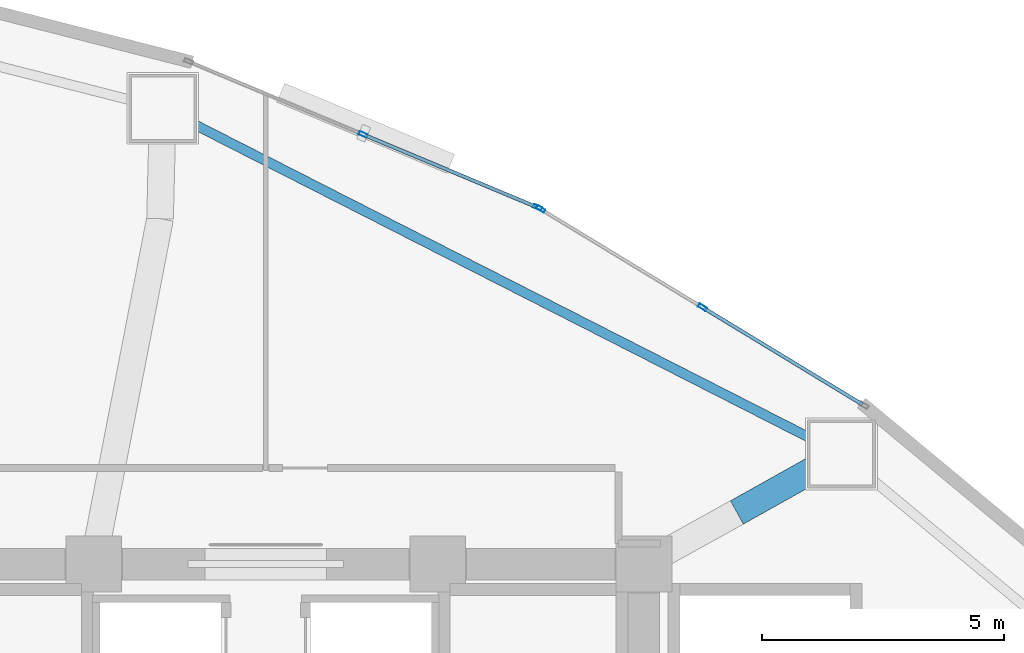
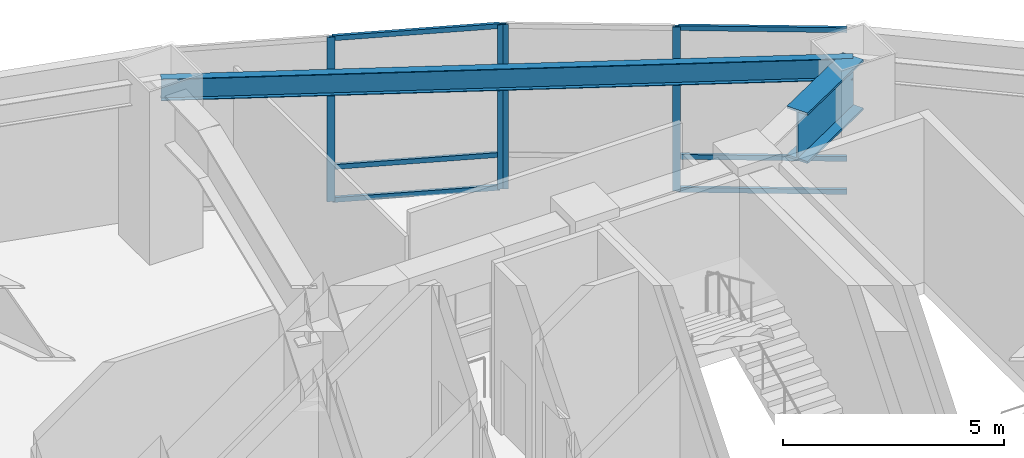
# One storey, part 11 of 19: 10 members, 2 beams, 2 elements without a shape of their own.
"""IFC4 building model written with IfcOpenShell, lengths in metres."""

import ifcopenshell
import ifcopenshell.guid

model = None  # the IFC model being written
_history = None  # IfcOwnerHistory: only IFC2X3 demands one
_inside = {}  # id of a spatial element -> (the spatial element, [elements in it])
_under = {}  # id of a project, library or spatial element -> (it, [spatial elements below it])
_declared = {}  # id of a project -> (the project, [libraries it declares])
_typed = {}  # id of a type object -> (the type object, [elements of that type])
_made_of = {}  # id of a material, layer set ... -> (it, [elements and type objects made of it])


def new_model(schema):
    """Start an empty IFC model of exactly this schema.

    Asked for "IFC4X3", IfcOpenShell would pick the latest addendum, in which some entities
    have other attributes; the version numbers below select the first issue.
    IFC2X3 requires an IfcOwnerHistory on every rooted entity: one is made here for all.
    """
    global model, _history
    if schema == "IFC4X3":
        model = ifcopenshell.file(schema_version=(4, 3, 0, 0))
    else:
        model = ifcopenshell.file(schema=schema)
    _inside.clear()
    _under.clear()
    _declared.clear()
    _typed.clear()
    _made_of.clear()
    _history = None
    if model.schema == "IFC2X3":
        org = make("IfcOrganization", Name="unknown")
        user = make(
            "IfcPersonAndOrganization",
            ThePerson=make("IfcPerson", FamilyName="unknown"),
            TheOrganization=org,
        )
        app = make(
            "IfcApplication",
            ApplicationDeveloper=org,
            Version="unknown",
            ApplicationFullName="unknown",
            ApplicationIdentifier="unknown",
        )
        _history = make(
            "IfcOwnerHistory",
            OwningUser=user,
            OwningApplication=app,
            ChangeAction="ADDED",
            CreationDate=0,
        )
    return model


def make(cls, **values):
    """One entity of the class cls with the attributes given. An attribute that is None is left unset."""
    return model.create_entity(
        cls, **{name: value for name, value in values.items() if value is not None}
    )


def rooted(cls, **values):
    """An entity with a GlobalId (a new one), such as an element, a storey or a relation."""
    return make(cls, GlobalId=ifcopenshell.guid.new(), OwnerHistory=_history, **values)


def si_unit(unit_type, name, prefix=None):
    """IfcSIUnit, for example si_unit("LENGTHUNIT", "METRE", prefix="MILLI")."""
    return make("IfcSIUnit", UnitType=unit_type, Prefix=prefix, Name=name)


def assignment(units):
    """IfcUnitAssignment: the units of a project."""
    return None if units is None else make("IfcUnitAssignment", Units=units)


def point(xyz):
    """IfcCartesianPoint."""
    return None if xyz is None else make("IfcCartesianPoint", Coordinates=xyz)


def direction(xyz):
    """IfcDirection."""
    return None if xyz is None else make("IfcDirection", DirectionRatios=xyz)


def frame(location, z_axis=None, x_axis=None):
    """IfcAxis2Placement3D, a coordinate frame: its origin and axes. An axis left out is left unset."""
    return make(
        "IfcAxis2Placement3D",
        Location=point(location),
        Axis=direction(z_axis),
        RefDirection=direction(x_axis),
    )


def frame_2d(location, x_axis=None):
    """IfcAxis2Placement2D, a coordinate frame in the plane: its origin and x axis."""
    return make(
        "IfcAxis2Placement2D", Location=point(location), RefDirection=direction(x_axis)
    )


def origin():
    """The frame at (0, 0, 0) with its axes left unset."""
    return frame((0.0, 0.0, 0.0))


def origin_2d():
    """The frame at (0, 0) in the plane with its x axis left unset."""
    return frame_2d((0.0, 0.0))


def place(relative_to, where):
    """IfcLocalPlacement: puts the frame where relative to a parent placement (None: the world)."""
    return make(
        "IfcLocalPlacement", PlacementRelTo=relative_to, RelativePlacement=where
    )


def context(
    kind, dimensions, precision=None, world=None, true_north=None, identifier=None
):
    """IfcGeometricRepresentationContext, for example the 3D "Model" context."""
    return make(
        "IfcGeometricRepresentationContext",
        ContextIdentifier=identifier,
        ContextType=kind,
        CoordinateSpaceDimension=dimensions,
        Precision=precision,
        WorldCoordinateSystem=world,
        TrueNorth=true_north,
    )


def subcontext(parent, identifier, kind, view, scale=None):
    """IfcGeometricRepresentationSubContext, for example "Body" below "Model"."""
    return make(
        "IfcGeometricRepresentationSubContext",
        ContextIdentifier=identifier,
        ContextType=kind,
        ParentContext=parent,
        TargetScale=scale,
        TargetView=view,
    )


def project(units=None, contexts=None):
    """IfcProject with its units and contexts."""
    return rooted(
        "IfcProject",
        Name="project",
        RepresentationContexts=contexts,
        UnitsInContext=assignment(units),
    )


def spatial(cls, under=None, at=None, **own):
    """A site, building, storey or space (cls), placed at a placement, below another one or the project."""
    s = rooted(cls, ObjectPlacement=at, **own)
    if under is not None:
        _under.setdefault(under.id(), (under, []))[1].append(s)
    return s


def profile(cls, at=None, kind="AREA", **sizes):
    """A parametric profile (cls). Its sizes go by their IFC names, for example OverallWidth=200.0."""
    return make(cls, ProfileType=kind, Position=at, **sizes)


def hollow_rectangle(**sizes):
    """IfcRectangleHollowProfileDef."""
    return profile("IfcRectangleHollowProfileDef", **sizes)


def i_section(**sizes):
    """IfcIShapeProfileDef."""
    return profile("IfcIShapeProfileDef", **sizes)


def extrude(swept, where, along, depth):
    """IfcExtrudedAreaSolid: the profile swept, set in the frame where, extruded along a direction by depth."""
    return make(
        "IfcExtrudedAreaSolid",
        SweptArea=swept,
        Position=where,
        ExtrudedDirection=direction(along),
        Depth=depth,
    )


def shape(context_of_items, identifier, shape_type, items):
    """IfcShapeRepresentation: the items that make up one representation, for example the "Body"."""
    return make(
        "IfcShapeRepresentation",
        ContextOfItems=context_of_items,
        RepresentationIdentifier=identifier,
        RepresentationType=shape_type,
        Items=items,
    )


def material(Name=None, Category=None):
    """IfcMaterial."""
    return make("IfcMaterial", Name=Name, Category=Category)


def layer(
    of_material, thickness, ventilated=None, Name=None, Category=None, Priority=None
):
    """IfcMaterialLayer: one layer of a wall or slab, of a material (None: an air gap)."""
    return make(
        "IfcMaterialLayer",
        Material=of_material,
        LayerThickness=thickness,
        IsVentilated=ventilated,
        Name=Name,
        Category=Category,
        Priority=Priority,
    )


def layer_set(layers, Name=None):
    """IfcMaterialLayerSet."""
    return make("IfcMaterialLayerSet", MaterialLayers=layers, LayerSetName=Name)


def material_profile(
    of_material, cross_section, Name=None, Category=None, Priority=None
):
    """IfcMaterialProfile: a cross section and its material."""
    return make(
        "IfcMaterialProfile",
        Name=Name,
        Material=of_material,
        Profile=cross_section,
        Priority=Priority,
        Category=Category,
    )


def profile_set(profiles, Name=None, composite=None):
    """IfcMaterialProfileSet."""
    return make(
        "IfcMaterialProfileSet",
        Name=Name,
        MaterialProfiles=profiles,
        CompositeProfile=composite,
    )


def made_of(thing, what):
    """Note that an element or type object is made of a material, layer set ...; save() writes the relation."""
    if what is not None:
        _made_of.setdefault(what.id(), (what, []))[1].append(thing)
    return thing


def type_object(cls, material=None, **own):
    """A type object (cls), such as IfcWallType, which elements share."""
    return made_of(rooted(cls, **own), material)


def element(
    cls,
    number,
    at=None,
    inside=None,
    cuts=None,
    type_object=None,
    material=None,
    context=None,
    identifier="Body",
    shape_type=None,
    held_by="IfcProductDefinitionShape",
    body=None,
    shapes=None,
    **own,
):
    """One element of the class cls, such as IfcWall. Its Tag is "e" and its number.

    at: its placement. inside: the storey or other place that contains it. cuts: it is an
    opening in that element (IfcRelVoidsElement). A single representation is given by context,
    identifier, shape_type and body (its items); several are given by shapes. held_by: the class
    of the entity that holds the representations. save() writes the other relations.
    """
    e = rooted(cls, Tag="e%d" % number, ObjectPlacement=at, **own)
    if body is not None:
        shapes = [shape(context, identifier, shape_type, body)]
    if shapes is not None:
        e.Representation = make(held_by, Representations=shapes)
    if inside is not None:
        _inside.setdefault(inside.id(), (inside, []))[1].append(e)
    if cuts is not None:
        rooted(
            "IfcRelVoidsElement", RelatingBuildingElement=cuts, RelatedOpeningElement=e
        )
    if type_object is not None:
        _typed.setdefault(type_object.id(), (type_object, []))[1].append(e)
    return made_of(e, material)


def aggregate(whole, parts):
    """IfcRelAggregates: a whole, such as a stair, and the parts it consists of."""
    return rooted("IfcRelAggregates", RelatingObject=whole, RelatedObjects=parts)


def save(model, path):
    """Write the relations noted so far, then the file.

    IfcRelAggregates (storeys below a building ...), IfcRelContainedInSpatialStructure (elements
    in a storey), IfcRelDefinesByType, IfcRelAssociatesMaterial and IfcRelDeclares: one each for
    every whole, place, type object, material and project.
    """
    for whole, parts in _under.values():
        aggregate(whole, parts)
    for where, things in _inside.values():
        rooted(
            "IfcRelContainedInSpatialStructure",
            RelatedElements=things,
            RelatingStructure=where,
        )
    for kind, things in _typed.values():
        rooted("IfcRelDefinesByType", RelatedObjects=things, RelatingType=kind)
    for what, things in _made_of.values():
        rooted("IfcRelAssociatesMaterial", RelatedObjects=things, RelatingMaterial=what)
    for by, libraries in _declared.values():
        rooted("IfcRelDeclares", RelatingContext=by, RelatedDefinitions=libraries)
    model.write(path)


model = new_model("IFC4")

# Units and contexts
model_context = context("Model", 3, precision=1e-05, world=origin(), true_north=direction((0.0, 1.0)))
body_context = subcontext(model_context, "Body", "Model", "MODEL_VIEW")
ifc_project = project(units=[si_unit("LENGTHUNIT", "METRE"), si_unit("AREAUNIT", "SQUARE_METRE"), si_unit("VOLUMEUNIT", "CUBIC_METRE"), si_unit("PLANEANGLEUNIT", "RADIAN"), si_unit("MASSUNIT", "GRAM", prefix="KILO")], contexts=[model_context])

# Site, building, storey
site_placement = place(None, origin())
site = spatial("IfcSite", under=ifc_project, at=site_placement, CompositionType="ELEMENT")
building_placement = place(site_placement, origin())
building = spatial("IfcBuilding", under=site, at=building_placement, Name="Menara Vayukalpa", CompositionType="ELEMENT")
storey_placement = place(building_placement, frame((0.0, 0.0, 22.800048828125)))
storey = spatial("IfcBuildingStorey", under=building, at=storey_placement, Name="L04", CompositionType="ELEMENT", Elevation=22.800048828125)

# Beams
ifc_material_1 = material(Name="Steel S355", Category="steel")
ifc_material_profile_1 = material_profile(ifc_material_1, i_section(OverallWidth=0.199951171875, OverallDepth=0.60009765625, WebThickness=0.010986328125, FlangeThickness=0.01708984375, at=origin_2d()), Name="WF 600x200x11x17")
ifc_profile_set_1 = profile_set([ifc_material_profile_1], Name="Steel S355")
beam_type_1 = type_object("IfcBeamType", Name="BM-SP1", PredefinedType="SPANDREL", material=ifc_profile_set_1)
beam_1_placement = place(storey_placement, frame((37.47412109375, 29.07080078125, 4.25), z_axis=(-0.891101872915, 0.453803318726, 0.0), x_axis=(-0.453803318726, -0.891101872915, 0.0)))
element("IfcBeam", 1, at=beam_1_placement, inside=storey, type_object=beam_type_1, Name="L04 Perimeter Spandrel Beam SP02", PredefinedType="SPANDREL", context=body_context, shape_type="SweptSolid", body=[
    extrude(i_section(OverallWidth=0.199951171875, OverallDepth=0.60009765625, WebThickness=0.010986328125, FlangeThickness=0.01708984375, at=origin_2d()), origin(), (0.0, 0.0, 1.0), 15.709228515625),
])
ifc_material_2 = material(Name="Steel S460", Category="steel")
ifc_material_profile_2 = material_profile(ifc_material_2, i_section(OverallWidth=0.550048828125, OverallDepth=1.39990234375, WebThickness=0.031982421875, FlangeThickness=0.06005859375, at=origin_2d()), Name="WG 1400x550x32x60")
ifc_profile_set_2 = profile_set([ifc_material_profile_2], Name="Steel S460")
beam_type_2 = type_object("IfcBeamType", Name="BM-TG1", PredefinedType="BEAM", material=ifc_profile_set_2)
beam_2_placement = place(storey_placement, frame((35.318115234375, 27.86328125, 3.849853515625), z_axis=(0.872479058961, 0.488651503297, 0.0), x_axis=(-0.488651503297, 0.872479058961, 0.0)))
element("IfcBeam", 2, at=beam_2_placement, inside=storey, type_object=beam_type_2, Name="L04 Radial Transfer Girder Outer 02", PredefinedType="BEAM", context=body_context, shape_type="SweptSolid", body=[
    extrude(i_section(OverallWidth=0.550048828125, OverallDepth=1.39990234375, WebThickness=0.031982421875, FlangeThickness=0.06005859375, at=origin_2d()), origin(), (0.0, 0.0, 1.0), 2.47119140625),
])

# Curtain wall, members
ifc_material_3 = material(Name="Anodised Terracotta Aluminium Alloy 6063-T6", Category="masonry")
ifc_layer = layer(ifc_material_3, 0.179931640625)
ifc_layer_set = layer_set([ifc_layer], Name="Anodised Terracotta Aluminium Alloy 6063-T6")
curtain_wall_type = type_object("IfcCurtainWallType", Name="CW-CW1", PredefinedType="USERDEFINED", material=ifc_layer_set)
curtain_wall_1_placement = place(storey_placement, origin())
curtain_wall_1 = element("IfcCurtainWall", 3, at=curtain_wall_1_placement, inside=storey, type_object=curtain_wall_type, Name="L04 Podium Unitised Ribbon Curtain Wall CW1 04", ObjectType="UNITISED", PredefinedType="USERDEFINED")
ifc_material_4 = material(Name="Anodised Terracotta Aluminium Alloy 6063-T6", Category="masonry")
ifc_material_profile_3 = material_profile(ifc_material_4, hollow_rectangle(XDim=0.074951171875, YDim=0.179931640625, WallThickness=0.00390625, at=origin_2d()), Name="ALU 75x180x4")
ifc_profile_set_3 = profile_set([ifc_material_profile_3], Name="Anodised Terracotta Aluminium Alloy 6063-T6")
member_type_1 = type_object("IfcMemberType", Name="CWM-CW1", PredefinedType="MULLION", material=ifc_profile_set_3)
member_1_placement = place(storey_placement, frame((34.607177734375, 32.095703125, 0.0), z_axis=(0.0, 0.0, 1.0), x_axis=(-0.519179879231, -0.854664994604, 0.0)))
member_1 = element("IfcMember", 4, at=member_1_placement, type_object=member_type_1, Name="CW1 mullion 2", PredefinedType="MULLION", context=body_context, shape_type="SweptSolid", body=[
    extrude(hollow_rectangle(XDim=0.074951171875, YDim=0.179931640625, WallThickness=0.00390625, at=origin_2d()), origin(), (0.0, 0.0, 1.0), 4.550048828125),
])
member_2_placement = place(storey_placement, frame((31.2734375, 34.12109375, 0.0), z_axis=(0.0, 0.0, 1.0), x_axis=(-0.519179879231, -0.854664994604, 0.0)))
member_2 = element("IfcMember", 5, at=member_2_placement, type_object=member_type_1, Name="CW1 mullion 3", PredefinedType="MULLION", context=body_context, shape_type="SweptSolid", body=[
    extrude(hollow_rectangle(XDim=0.074951171875, YDim=0.179931640625, WallThickness=0.00390625, at=origin_2d()), origin(), (0.0, 0.0, 1.0), 4.550048828125),
])

curtain_wall_2_placement = place(storey_placement, origin())
curtain_wall_2 = element("IfcCurtainWall", 6, at=curtain_wall_2_placement, inside=storey, type_object=curtain_wall_type, Name="L04 Podium Unitised Ribbon Curtain Wall CW1 05", ObjectType="UNITISED", PredefinedType="USERDEFINED")
member_3_placement = place(storey_placement, frame((31.206787109375, 34.155029296875, 0.0), z_axis=(0.0, 0.0, 1.0), x_axis=(-0.385890613077, -0.922544543499, 0.0)))
member_3 = element("IfcMember", 7, at=member_3_placement, type_object=member_type_1, Name="CW1 mullion 1", PredefinedType="MULLION", context=body_context, shape_type="SweptSolid", body=[
    extrude(hollow_rectangle(XDim=0.074951171875, YDim=0.179931640625, WallThickness=0.00390625, at=origin_2d()), origin(), (0.0, 0.0, 1.0), 4.550048828125),
])
member_4_placement = place(storey_placement, frame((27.608154296875, 35.66015625, 0.0), z_axis=(0.0, 0.0, 1.0), x_axis=(-0.385890613077, -0.922544543499, 0.0)))
member_4 = element("IfcMember", 8, at=member_4_placement, type_object=member_type_1, Name="CW1 mullion 2", PredefinedType="MULLION", context=body_context, shape_type="SweptSolid", body=[
    extrude(hollow_rectangle(XDim=0.074951171875, YDim=0.179931640625, WallThickness=0.00390625, at=origin_2d()), origin(), (0.0, 0.0, 1.0), 4.550048828125),
])

# Member
ifc_material_5 = material(Name="Anodised Terracotta Aluminium Alloy 6063-T6", Category="masonry")
ifc_material_profile_4 = material_profile(ifc_material_5, hollow_rectangle(XDim=0.074951171875, YDim=0.135009765625, WallThickness=0.00390625, at=origin_2d()), Name="ALU 75x135x4")
ifc_profile_set_4 = profile_set([ifc_material_profile_4], Name="Anodised Terracotta Aluminium Alloy 6063-T6")
member_type_2 = type_object("IfcMemberType", Name="CWT-CW1", PredefinedType="USERDEFINED", material=ifc_profile_set_4)
member_5_placement = place(storey_placement, frame((37.9091796875, 30.090087890625, 0.037353515625), z_axis=(-0.85465908819, 0.519189602144, 0.0), x_axis=(-0.519189602144, -0.85465908819, 0.0)))
member_5 = element("IfcMember", 9, at=member_5_placement, type_object=member_type_2, Name="CW1 transom 1.1", ObjectType="TRANSOM", PredefinedType="USERDEFINED", context=body_context, shape_type="SweptSolid", body=[
    extrude(hollow_rectangle(XDim=0.074951171875, YDim=0.135009765625, WallThickness=0.00390625, at=origin_2d()), origin(), (0.0, 0.0, 1.0), 3.825927734375),
])

member_6_placement = place(storey_placement, frame((37.9091796875, 30.090087890625, 0.949951171875), z_axis=(-0.85465908819, 0.519189602144, 0.0), x_axis=(-0.519189602144, -0.85465908819, 0.0)))
member_6 = element("IfcMember", 10, at=member_6_placement, type_object=member_type_2, Name="CW1 transom 1.2", ObjectType="TRANSOM", PredefinedType="USERDEFINED", context=body_context, shape_type="SweptSolid", body=[
    extrude(hollow_rectangle(XDim=0.074951171875, YDim=0.135009765625, WallThickness=0.00390625, at=origin_2d()), origin(), (0.0, 0.0, 1.0), 3.825927734375),
])

member_7_placement = place(storey_placement, frame((37.9091796875, 30.090087890625, 4.512451171875), z_axis=(-0.85465908819, 0.519189602144, 0.0), x_axis=(-0.519189602144, -0.85465908819, 0.0)))
member_7 = element("IfcMember", 11, at=member_7_placement, type_object=member_type_2, Name="CW1 transom 1.3", ObjectType="TRANSOM", PredefinedType="USERDEFINED", context=body_context, shape_type="SweptSolid", body=[
    extrude(hollow_rectangle(XDim=0.074951171875, YDim=0.135009765625, WallThickness=0.00390625, at=origin_2d()), origin(), (0.0, 0.0, 1.0), 3.825927734375),
])

aggregate(curtain_wall_1, [member_1, member_2, member_5, member_6, member_7])

member_8_placement = place(storey_placement, frame((31.172119140625, 34.16943359375, 0.037353515625), z_axis=(-0.922549314237, 0.385879207525, 0.0), x_axis=(-0.385879207525, -0.922549314237, 0.0)))
member_8 = element("IfcMember", 12, at=member_8_placement, type_object=member_type_2, Name="CW1 transom 1.1", ObjectType="TRANSOM", PredefinedType="USERDEFINED", context=body_context, shape_type="SweptSolid", body=[
    extrude(hollow_rectangle(XDim=0.074951171875, YDim=0.135009765625, WallThickness=0.00390625, at=origin_2d()), origin(), (0.0, 0.0, 1.0), 3.825927734375),
])

member_9_placement = place(storey_placement, frame((31.172119140625, 34.16943359375, 0.949951171875), z_axis=(-0.922549314237, 0.385879207525, 0.0), x_axis=(-0.385879207525, -0.922549314237, 0.0)))
member_9 = element("IfcMember", 13, at=member_9_placement, type_object=member_type_2, Name="CW1 transom 1.2", ObjectType="TRANSOM", PredefinedType="USERDEFINED", context=body_context, shape_type="SweptSolid", body=[
    extrude(hollow_rectangle(XDim=0.074951171875, YDim=0.135009765625, WallThickness=0.00390625, at=origin_2d()), origin(), (0.0, 0.0, 1.0), 3.825927734375),
])

member_10_placement = place(storey_placement, frame((31.172119140625, 34.16943359375, 4.512451171875), z_axis=(-0.922549314237, 0.385879207525, 0.0), x_axis=(-0.385879207525, -0.922549314237, 0.0)))
member_10 = element("IfcMember", 14, at=member_10_placement, type_object=member_type_2, Name="CW1 transom 1.3", ObjectType="TRANSOM", PredefinedType="USERDEFINED", context=body_context, shape_type="SweptSolid", body=[
    extrude(hollow_rectangle(XDim=0.074951171875, YDim=0.135009765625, WallThickness=0.00390625, at=origin_2d()), origin(), (0.0, 0.0, 1.0), 3.825927734375),
])

aggregate(curtain_wall_2, [member_3, member_4, member_8, member_9, member_10])

save(model, "model.ifc")
